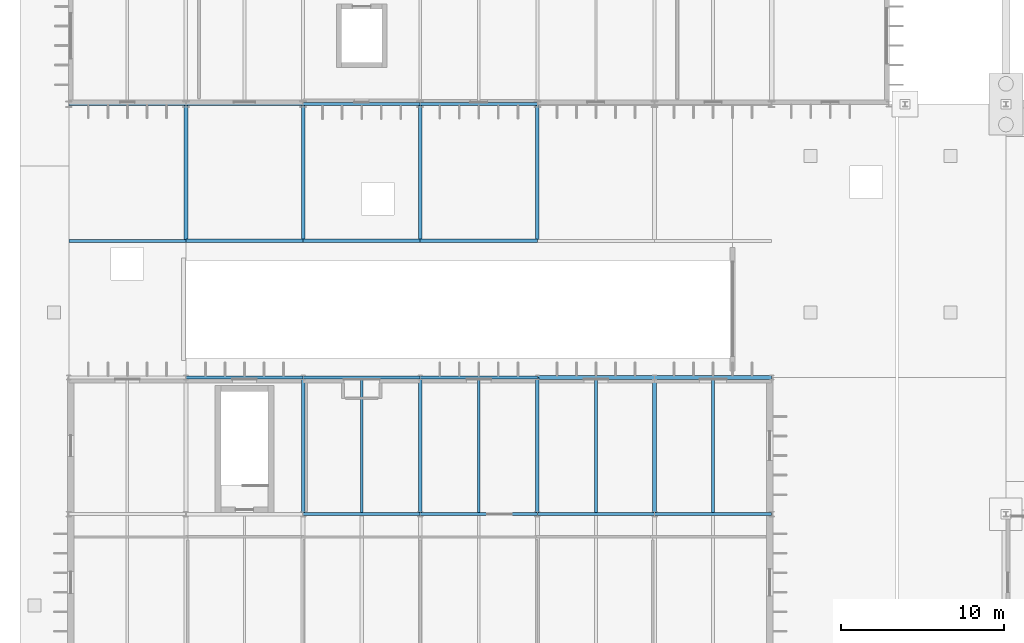
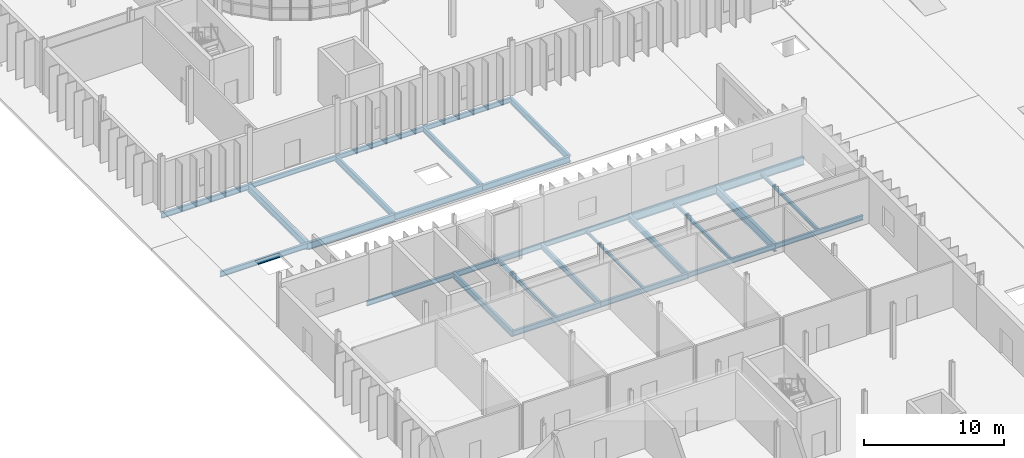
# One storey, part 31 of 118: 29 beams.
"""IFC4 building model written with IfcOpenShell, lengths in metres."""

from ifc_helpers import new_model, si_unit, direction, frame, origin, origin_2d, place, context, subcontext, project, spatial, i_section, extrude, material, material_profile, profile_set, type_object, element, save


model = new_model("IFC4")

# Units and contexts
model_context = context("Model", 3, precision=1e-05, world=origin(), true_north=direction((0.0, 1.0)))
body_context = subcontext(model_context, "Body", "Model", "MODEL_VIEW")
ifc_project = project(units=[si_unit("LENGTHUNIT", "METRE"), si_unit("AREAUNIT", "SQUARE_METRE"), si_unit("VOLUMEUNIT", "CUBIC_METRE"), si_unit("PLANEANGLEUNIT", "RADIAN"), si_unit("MASSUNIT", "GRAM", prefix="KILO")], contexts=[model_context])

# Site, building, storey
site_placement = place(None, origin())
site = spatial("IfcSite", under=ifc_project, at=site_placement, CompositionType="ELEMENT")
building_placement = place(site_placement, origin())
building = spatial("IfcBuilding", under=site, at=building_placement, Name="Qelthora Terrace Specialist Clinic", CompositionType="ELEMENT")
storey_placement = place(building_placement, origin())
storey = spatial("IfcBuildingStorey", under=building, at=storey_placement, Name="L00", CompositionType="ELEMENT", Elevation=0.0)

# Beams
ifc_material = material(Name="Steel S355", Category="steel")
ifc_material_profile_1 = material_profile(ifc_material, i_section(OverallWidth=0.178955078125, OverallDepth=0.409912109375, WebThickness=0.0087890625, FlangeThickness=0.014404296875, FilletRadius=0.011962890625, at=origin_2d()), Name="W410X67")
ifc_profile_set_1 = profile_set([ifc_material_profile_1], Name="Steel S355")
beam_type_1 = type_object("IfcBeamType", Name="BM-W410X67", PredefinedType="BEAM", material=ifc_profile_set_1)
for number, where, z_axis, x_axis, name in (
    (1, (36.0, 33.60009765625, -0.455078125), (1.0, 0.0, 0.0), (0.0, 1.0, 0.0), "Girder BMX-L00-0024"),
    (2, (7.199951171875, 42.0, -0.458984375), (1.0, 0.0, 0.0), (0.0, 1.0, 0.0), "Girder BMX-L00-0026"),
    (3, (21.60009765625, 42.0, -0.458984375), (1.0, 0.0, 0.0), (0.0, 1.0, 0.0), "Girder BMX-L00-0028"),
    (4, (7.199951171875, 58.800048828125, -0.458984375), (1.0, 0.0, 0.0), (0.0, 1.0, 0.0), "Girder BMX-L00-0038"),
    (5, (21.60009765625, 58.800048828125, -0.458984375), (1.0, 0.0, 0.0), (0.0, 1.0, 0.0), "Girder BMX-L00-0040"),
):
    element("IfcBeam", number, at=place(storey_placement, frame(where, z_axis=z_axis, x_axis=x_axis)), inside=storey, type_object=beam_type_1, Name=name, PredefinedType="BEAM", context=body_context, shape_type="SweptSolid", body=[
        extrude(i_section(OverallWidth=0.178955078125, OverallDepth=0.409912109375, WebThickness=0.0087890625, FlangeThickness=0.014404296875, FilletRadius=0.011962890625, at=origin_2d()), origin(), (0.0, 0.0, 1.0), 7.199951171875),
    ])
ifc_material_profile_2 = material_profile(ifc_material, i_section(OverallWidth=0.179931640625, OverallDepth=0.4130859375, WebThickness=0.009765625, FlangeThickness=0.01611328125, FilletRadius=0.011962890625, at=origin_2d()), Name="W410X75")
ifc_profile_set_2 = profile_set([ifc_material_profile_2], Name="Steel S355")
beam_type_2 = type_object("IfcBeamType", Name="BM-W410X75", PredefinedType="BEAM", material=ifc_profile_set_2)
beam_1_placement = place(storey_placement, frame((28.800048828125, 33.60009765625, -0.45654296875), z_axis=(1.0, 0.0, 0.0), x_axis=(0.0, 1.0, 0.0)))
element("IfcBeam", 6, at=beam_1_placement, inside=storey, type_object=beam_type_2, Name="Girder BMX-L00-0023", PredefinedType="BEAM", context=body_context, shape_type="SweptSolid", body=[
    extrude(i_section(OverallWidth=0.179931640625, OverallDepth=0.4130859375, WebThickness=0.009765625, FlangeThickness=0.01611328125, FilletRadius=0.011962890625, at=origin_2d()), origin(), (0.0, 0.0, 1.0), 7.199951171875),
])
beam_2_placement = place(storey_placement, frame((14.39990234375, 58.800048828125, -0.46044921875), z_axis=(1.0, 0.0, 0.0), x_axis=(0.0, 1.0, 0.0)))
element("IfcBeam", 7, at=beam_2_placement, inside=storey, type_object=beam_type_2, Name="Girder BMX-L00-0039", PredefinedType="BEAM", context=body_context, shape_type="SweptSolid", body=[
    extrude(i_section(OverallWidth=0.179931640625, OverallDepth=0.4130859375, WebThickness=0.009765625, FlangeThickness=0.01611328125, FilletRadius=0.011962890625, at=origin_2d()), origin(), (0.0, 0.0, 1.0), 7.2001953125),
])
ifc_material_profile_3 = material_profile(ifc_material, i_section(OverallWidth=0.19091796875, OverallDepth=0.4599609375, WebThickness=0.010009765625, FlangeThickness=0.01611328125, FilletRadius=0.012939453125, at=origin_2d()), Name="W460X82")
ifc_profile_set_3 = profile_set([ifc_material_profile_3], Name="Steel S355")
beam_type_3 = type_object("IfcBeamType", Name="BM-W460X82", PredefinedType="BEAM", material=ifc_profile_set_3)
beam_3_placement = place(storey_placement, frame((21.60009765625, 33.60009765625, -0.47998046875), z_axis=(1.0, 0.0, 0.0), x_axis=(0.0, 1.0, 0.0)))
element("IfcBeam", 8, at=beam_3_placement, inside=storey, type_object=beam_type_3, Name="Girder BMX-L00-0022", PredefinedType="BEAM", context=body_context, shape_type="SweptSolid", body=[
    extrude(i_section(OverallWidth=0.19091796875, OverallDepth=0.4599609375, WebThickness=0.010009765625, FlangeThickness=0.01611328125, FilletRadius=0.012939453125, at=origin_2d()), origin(), (0.0, 0.0, 1.0), 7.199951171875),
])
beam_4_placement = place(storey_placement, frame((14.39990234375, 42.0, -0.48388671875), z_axis=(1.0, 0.0, 0.0), x_axis=(0.0, 1.0, 0.0)))
element("IfcBeam", 9, at=beam_4_placement, inside=storey, type_object=beam_type_3, Name="Girder BMX-L00-0027", PredefinedType="BEAM", context=body_context, shape_type="SweptSolid", body=[
    extrude(i_section(OverallWidth=0.19091796875, OverallDepth=0.4599609375, WebThickness=0.010009765625, FlangeThickness=0.01611328125, FilletRadius=0.012939453125, at=origin_2d()), origin(), (0.0, 0.0, 1.0), 7.2001953125),
])
beam_5_placement = place(storey_placement, frame((21.60009765625, 50.39990234375, -0.48388671875), z_axis=(0.0, 1.0, 0.0), x_axis=(-1.0, 0.0, 0.0)))
element("IfcBeam", 10, at=beam_5_placement, inside=storey, type_object=beam_type_3, Name="Girder BMY-L00-0098", PredefinedType="BEAM", context=body_context, shape_type="SweptSolid", body=[
    extrude(i_section(OverallWidth=0.19091796875, OverallDepth=0.4599609375, WebThickness=0.010009765625, FlangeThickness=0.01611328125, FilletRadius=0.012939453125, at=origin_2d()), origin(), (0.0, 0.0, 1.0), 8.400146484375),
])
ifc_material_profile_4 = material_profile(ifc_material, i_section(OverallWidth=0.193115234375, OverallDepth=0.466064453125, WebThickness=0.011474609375, FlangeThickness=0.01904296875, FilletRadius=0.012939453125, at=origin_2d()), Name="W460X97")
ifc_profile_set_4 = profile_set([ifc_material_profile_4], Name="Steel S355")
beam_type_4 = type_object("IfcBeamType", Name="BM-W460X97", PredefinedType="BEAM", material=ifc_profile_set_4)
beam_6_placement = place(storey_placement, frame((14.39990234375, 33.60009765625, -0.48291015625), z_axis=(1.0, 0.0, 0.0), x_axis=(0.0, 1.0, 0.0)))
element("IfcBeam", 11, at=beam_6_placement, inside=storey, type_object=beam_type_4, Name="Girder BMX-L00-0021", PredefinedType="BEAM", context=body_context, shape_type="SweptSolid", body=[
    extrude(i_section(OverallWidth=0.193115234375, OverallDepth=0.466064453125, WebThickness=0.011474609375, FlangeThickness=0.01904296875, FilletRadius=0.012939453125, at=origin_2d()), origin(), (0.0, 0.0, 1.0), 7.2001953125),
])
beam_7_placement = place(storey_placement, frame((21.60009765625, 33.60009765625, -0.48291015625), z_axis=(0.0, 1.0, 0.0), x_axis=(-1.0, 0.0, 0.0)))
element("IfcBeam", 12, at=beam_7_placement, inside=storey, type_object=beam_type_4, Name="Girder BMY-L00-0097", PredefinedType="BEAM", context=body_context, shape_type="SweptSolid", body=[
    extrude(i_section(OverallWidth=0.193115234375, OverallDepth=0.466064453125, WebThickness=0.011474609375, FlangeThickness=0.01904296875, FilletRadius=0.012939453125, at=origin_2d()), origin(), (0.0, 0.0, 1.0), 8.39990234375),
])
ifc_material_profile_5 = material_profile(ifc_material, i_section(OverallWidth=0.2099609375, OverallDepth=0.537109375, WebThickness=0.010986328125, FlangeThickness=0.017333984375, FilletRadius=0.013916015625, at=origin_2d()), Name="W530X101")
ifc_profile_set_5 = profile_set([ifc_material_profile_5], Name="Steel S355")
beam_type_5 = type_object("IfcBeamType", Name="BM-W530X101", PredefinedType="BEAM", material=ifc_profile_set_5)
beam_8_placement = place(storey_placement, frame((21.60009765625, 50.39990234375, -0.5224609375), z_axis=(1.0, 0.0, 0.0), x_axis=(0.0, 1.0, 0.0)))
element("IfcBeam", 13, at=beam_8_placement, inside=storey, type_object=beam_type_5, Name="Girder BMX-L00-0034", PredefinedType="BEAM", context=body_context, shape_type="SweptSolid", body=[
    extrude(i_section(OverallWidth=0.2099609375, OverallDepth=0.537109375, WebThickness=0.010986328125, FlangeThickness=0.017333984375, FilletRadius=0.013916015625, at=origin_2d()), origin(), (0.0, 0.0, 1.0), 7.199951171875),
])
for number, where, z_axis, x_axis, name in (
    (14, (14.39990234375, 50.39990234375, -0.5224609375), (0.0, 1.0, 0.0), (-1.0, 0.0, 0.0), "Girder BMY-L00-0086"),
    (15, (28.800048828125, 50.39990234375, -0.5224609375), (0.0, 1.0, 0.0), (-1.0, 0.0, 0.0), "Girder BMY-L00-0106"),
):
    element("IfcBeam", number, at=place(storey_placement, frame(where, z_axis=z_axis, x_axis=x_axis)), inside=storey, type_object=beam_type_5, Name=name, PredefinedType="BEAM", context=body_context, shape_type="SweptSolid", body=[
        extrude(i_section(OverallWidth=0.2099609375, OverallDepth=0.537109375, WebThickness=0.010986328125, FlangeThickness=0.017333984375, FilletRadius=0.013916015625, at=origin_2d()), origin(), (0.0, 0.0, 1.0), 8.400146484375),
    ])
ifc_material_profile_6 = material_profile(ifc_material, i_section(OverallWidth=0.2119140625, OverallDepth=0.5439453125, WebThickness=0.01318359375, FlangeThickness=0.021240234375, FilletRadius=0.013916015625, at=origin_2d()), Name="W530X123")
ifc_profile_set_6 = profile_set([ifc_material_profile_6], Name="Steel S355")
beam_type_6 = type_object("IfcBeamType", Name="BM-W530X123", PredefinedType="BEAM", material=ifc_profile_set_6)
beam_9_placement = place(storey_placement, frame((14.39990234375, 50.39990234375, -0.52587890625), z_axis=(1.0, 0.0, 0.0), x_axis=(0.0, 1.0, 0.0)))
element("IfcBeam", 16, at=beam_9_placement, inside=storey, type_object=beam_type_6, Name="Girder BMX-L00-0033", PredefinedType="BEAM", context=body_context, shape_type="SweptSolid", body=[
    extrude(i_section(OverallWidth=0.2119140625, OverallDepth=0.5439453125, WebThickness=0.01318359375, FlangeThickness=0.021240234375, FilletRadius=0.013916015625, at=origin_2d()), origin(), (0.0, 0.0, 1.0), 7.2001953125),
])
for number, where, z_axis, x_axis, name in (
    (17, (14.39990234375, 33.60009765625, -0.52197265625), (0.0, 1.0, 0.0), (-1.0, 0.0, 0.0), "Girder BMY-L00-0085"),
    (18, (28.800048828125, 33.60009765625, -0.52197265625), (0.0, 1.0, 0.0), (-1.0, 0.0, 0.0), "Girder BMY-L00-0105"),
):
    element("IfcBeam", number, at=place(storey_placement, frame(where, z_axis=z_axis, x_axis=x_axis)), inside=storey, type_object=beam_type_6, Name=name, PredefinedType="BEAM", context=body_context, shape_type="SweptSolid", body=[
        extrude(i_section(OverallWidth=0.2119140625, OverallDepth=0.5439453125, WebThickness=0.01318359375, FlangeThickness=0.021240234375, FilletRadius=0.013916015625, at=origin_2d()), origin(), (0.0, 0.0, 1.0), 8.39990234375),
    ])
ifc_material_profile_7 = material_profile(ifc_material, i_section(OverallWidth=0.22900390625, OverallDepth=0.612060546875, WebThickness=0.011962890625, FlangeThickness=0.01953125, FilletRadius=0.01611328125, at=origin_2d()), Name="W610X125")
ifc_profile_set_7 = profile_set([ifc_material_profile_7], Name="Steel S355")
beam_type_7 = type_object("IfcBeamType", Name="BM-W610X125", PredefinedType="BEAM", material=ifc_profile_set_7)
beam_10_placement = place(storey_placement, frame((7.199951171875, 50.39990234375, -0.56005859375), z_axis=(1.0, 0.0, 0.0), x_axis=(0.0, 1.0, 0.0)))
element("IfcBeam", 19, at=beam_10_placement, inside=storey, type_object=beam_type_7, Name="Girder BMX-L00-0032", PredefinedType="BEAM", context=body_context, shape_type="SweptSolid", body=[
    extrude(i_section(OverallWidth=0.22900390625, OverallDepth=0.612060546875, WebThickness=0.011962890625, FlangeThickness=0.01953125, FilletRadius=0.01611328125, at=origin_2d()), origin(), (0.0, 0.0, 1.0), 7.199951171875),
])
ifc_material_profile_8 = material_profile(ifc_material, i_section(OverallWidth=0.22998046875, OverallDepth=0.616943359375, WebThickness=0.01318359375, FlangeThickness=0.022216796875, FilletRadius=0.01611328125, at=origin_2d()), Name="W610X140")
ifc_profile_set_8 = profile_set([ifc_material_profile_8], Name="Steel S355")
beam_type_8 = type_object("IfcBeamType", Name="BM-W610X140", PredefinedType="BEAM", material=ifc_profile_set_8)
beam_11_placement = place(storey_placement, frame((7.199951171875, 50.39990234375, -0.5625), z_axis=(0.0, 1.0, 0.0), x_axis=(-1.0, 0.0, 0.0)))
element("IfcBeam", 20, at=beam_11_placement, inside=storey, type_object=beam_type_8, Name="Girder BMY-L00-0074", PredefinedType="BEAM", context=body_context, shape_type="SweptSolid", body=[
    extrude(i_section(OverallWidth=0.22998046875, OverallDepth=0.616943359375, WebThickness=0.01318359375, FlangeThickness=0.022216796875, FilletRadius=0.01611328125, at=origin_2d()), origin(), (0.0, 0.0, 1.0), 8.400146484375),
])
ifc_material_profile_9 = material_profile(ifc_material, i_section(OverallWidth=0.25390625, OverallDepth=0.68798828125, WebThickness=0.01318359375, FlangeThickness=0.02099609375, FilletRadius=0.01806640625, at=origin_2d()), Name="W690X152")
ifc_profile_set_9 = profile_set([ifc_material_profile_9], Name="Steel S355")
beam_type_9 = type_object("IfcBeamType", Name="BM-W690X152", PredefinedType="BEAM", material=ifc_profile_set_9)
beam_12_placement = place(storey_placement, frame((36.0, 42.0, -0.597900390625), z_axis=(1.0, 0.0, 0.0), x_axis=(0.0, 1.0, 0.0)))
element("IfcBeam", 21, at=beam_12_placement, inside=storey, type_object=beam_type_9, Name="Girder BMX-L00-0030", PredefinedType="BEAM", context=body_context, shape_type="SweptSolid", body=[
    extrude(i_section(OverallWidth=0.25390625, OverallDepth=0.68798828125, WebThickness=0.01318359375, FlangeThickness=0.02099609375, FilletRadius=0.01806640625, at=origin_2d()), origin(), (0.0, 0.0, 1.0), 7.199951171875),
])
ifc_material_profile_10 = material_profile(ifc_material, i_section(OverallWidth=0.256103515625, OverallDepth=0.693115234375, WebThickness=0.014404296875, FlangeThickness=0.023681640625, FilletRadius=0.01806640625, at=origin_2d()), Name="W690X170")
ifc_profile_set_10 = profile_set([ifc_material_profile_10], Name="Steel S355")
beam_type_10 = type_object("IfcBeamType", Name="BM-W690X170", PredefinedType="BEAM", material=ifc_profile_set_10)
beam_13_placement = place(storey_placement, frame((28.800048828125, 42.0, -0.6005859375), z_axis=(1.0, 0.0, 0.0), x_axis=(0.0, 1.0, 0.0)))
element("IfcBeam", 22, at=beam_13_placement, inside=storey, type_object=beam_type_10, Name="Girder BMX-L00-0029", PredefinedType="BEAM", context=body_context, shape_type="SweptSolid", body=[
    extrude(i_section(OverallWidth=0.256103515625, OverallDepth=0.693115234375, WebThickness=0.014404296875, FlangeThickness=0.023681640625, FilletRadius=0.01806640625, at=origin_2d()), origin(), (0.0, 0.0, 1.0), 7.199951171875),
])
beam_14_placement = place(storey_placement, frame((36.0, 33.60009765625, -0.596435546875), z_axis=(0.0, 1.0, 0.0), x_axis=(-1.0, 0.0, 0.0)))
element("IfcBeam", 23, at=beam_14_placement, inside=storey, type_object=beam_type_10, Name="Girder BMY-L00-0113", PredefinedType="BEAM", context=body_context, shape_type="SweptSolid", body=[
    extrude(i_section(OverallWidth=0.256103515625, OverallDepth=0.693115234375, WebThickness=0.014404296875, FlangeThickness=0.023681640625, FilletRadius=0.01806640625, at=origin_2d()), origin(), (0.0, 0.0, 1.0), 8.39990234375),
])
ifc_material_profile_11 = material_profile(ifc_material, i_section(OverallWidth=0.14697265625, OverallDepth=0.261962890625, WebThickness=0.006591796875, FlangeThickness=0.01123046875, FilletRadius=0.009033203125, at=origin_2d()), Name="W250X39")
ifc_profile_set_11 = profile_set([ifc_material_profile_11], Name="Steel S355")
beam_type_11 = type_object("IfcBeamType", Name="JST-W250X39", PredefinedType="JOIST", material=ifc_profile_set_11)
beam_15_placement = place(storey_placement, frame((25.199951171875, 33.695556640625, -0.381103515625), z_axis=(0.0, 1.0, 0.0), x_axis=(-1.0, 0.0, 0.0)))
element("IfcBeam", 24, at=beam_15_placement, inside=storey, type_object=beam_type_11, Name="Composite floor joist JST-L00-0023", PredefinedType="JOIST", context=body_context, shape_type="SweptSolid", body=[
    extrude(i_section(OverallWidth=0.14697265625, OverallDepth=0.261962890625, WebThickness=0.006591796875, FlangeThickness=0.01123046875, FilletRadius=0.009033203125, at=origin_2d()), origin(), (0.0, 0.0, 1.0), 8.21484375),
])
ifc_material_profile_12 = material_profile(ifc_material, i_section(OverallWidth=0.166015625, OverallDepth=0.31298828125, WebThickness=0.006591796875, FlangeThickness=0.01123046875, FilletRadius=0.010009765625, at=origin_2d()), Name="W310X45")
ifc_profile_set_12 = profile_set([ifc_material_profile_12], Name="Steel S355")
beam_type_12 = type_object("IfcBeamType", Name="JST-W310X45", PredefinedType="JOIST", material=ifc_profile_set_12)
beam_16_placement = place(storey_placement, frame((32.39990234375, 33.68994140625, -0.406494140625), z_axis=(0.0, 1.0, 0.0), x_axis=(-1.0, 0.0, 0.0)))
element("IfcBeam", 25, at=beam_16_placement, inside=storey, type_object=beam_type_12, Name="Composite floor joist JST-L00-0028", PredefinedType="JOIST", context=body_context, shape_type="SweptSolid", body=[
    extrude(i_section(OverallWidth=0.166015625, OverallDepth=0.31298828125, WebThickness=0.006591796875, FlangeThickness=0.01123046875, FilletRadius=0.010009765625, at=origin_2d()), origin(), (0.0, 0.0, 1.0), 8.18212890625),
])
ifc_material_profile_13 = material_profile(ifc_material, i_section(OverallWidth=0.1669921875, OverallDepth=0.31689453125, WebThickness=0.007568359375, FlangeThickness=0.01318359375, FilletRadius=0.010009765625, at=origin_2d()), Name="W310X52")
ifc_profile_set_13 = profile_set([ifc_material_profile_13], Name="Steel S355")
beam_type_13 = type_object("IfcBeamType", Name="JST-W310X52", PredefinedType="JOIST", material=ifc_profile_set_13)
beam_17_placement = place(storey_placement, frame((39.60009765625, 33.689453125, -0.408447265625), z_axis=(0.0, 1.0, 0.0), x_axis=(-1.0, 0.0, 0.0)))
element("IfcBeam", 26, at=beam_17_placement, inside=storey, type_object=beam_type_13, Name="Composite floor joist JST-L00-0033", PredefinedType="JOIST", context=body_context, shape_type="SweptSolid", body=[
    extrude(i_section(OverallWidth=0.1669921875, OverallDepth=0.31689453125, WebThickness=0.007568359375, FlangeThickness=0.01318359375, FilletRadius=0.010009765625, at=origin_2d()), origin(), (0.0, 0.0, 1.0), 8.18359375),
])
ifc_material_profile_14 = material_profile(ifc_material, i_section(OverallWidth=0.172119140625, OverallDepth=0.35791015625, WebThickness=0.0078125, FlangeThickness=0.01318359375, FilletRadius=0.010986328125, at=origin_2d()), Name="W360X57")
ifc_profile_set_14 = profile_set([ifc_material_profile_14], Name="Steel S355")
beam_type_14 = type_object("IfcBeamType", Name="JST-W360X57", PredefinedType="JOIST", material=ifc_profile_set_14)
beam_18_placement = place(storey_placement, frame((18.0, 33.696533203125, -0.428955078125), z_axis=(0.0, 1.0, 0.0), x_axis=(-1.0, 0.0, 0.0)))
element("IfcBeam", 27, at=beam_18_placement, inside=storey, type_object=beam_type_14, Name="Composite floor joist JST-L00-0020", PredefinedType="JOIST", context=body_context, shape_type="SweptSolid", body=[
    extrude(i_section(OverallWidth=0.172119140625, OverallDepth=0.35791015625, WebThickness=0.0078125, FlangeThickness=0.01318359375, FilletRadius=0.010986328125, at=origin_2d()), origin(), (0.0, 0.0, 1.0), 8.2080078125),
])
ifc_material_profile_15 = material_profile(ifc_material, i_section(OverallWidth=0.19091796875, OverallDepth=0.4599609375, WebThickness=0.010009765625, FlangeThickness=0.01611328125, FilletRadius=0.012939453125, at=origin_2d()), Name="W460X82")
ifc_profile_set_15 = profile_set([ifc_material_profile_15], Name="Steel S355")
beam_type_15 = type_object("IfcBeamType", Name="SPD-W460X82", PredefinedType="SPANDREL", material=ifc_profile_set_15)
for number, where, z_axis, x_axis, name in (
    (28, (0.0, 50.39990234375, -0.48388671875), (1.0, 0.0, 0.0), (0.0, 1.0, 0.0), "Girder BMX-L00-0031"),
    (29, (0.0, 58.800048828125, -0.48388671875), (1.0, 0.0, 0.0), (0.0, 1.0, 0.0), "Girder BMX-L00-0037"),
):
    element("IfcBeam", number, at=place(storey_placement, frame(where, z_axis=z_axis, x_axis=x_axis)), inside=storey, type_object=beam_type_15, Name=name, PredefinedType="SPANDREL", context=body_context, shape_type="SweptSolid", body=[
        extrude(i_section(OverallWidth=0.19091796875, OverallDepth=0.4599609375, WebThickness=0.010009765625, FlangeThickness=0.01611328125, FilletRadius=0.012939453125, at=origin_2d()), origin(), (0.0, 0.0, 1.0), 7.199951171875),
    ])

save(model, "model.ifc")
